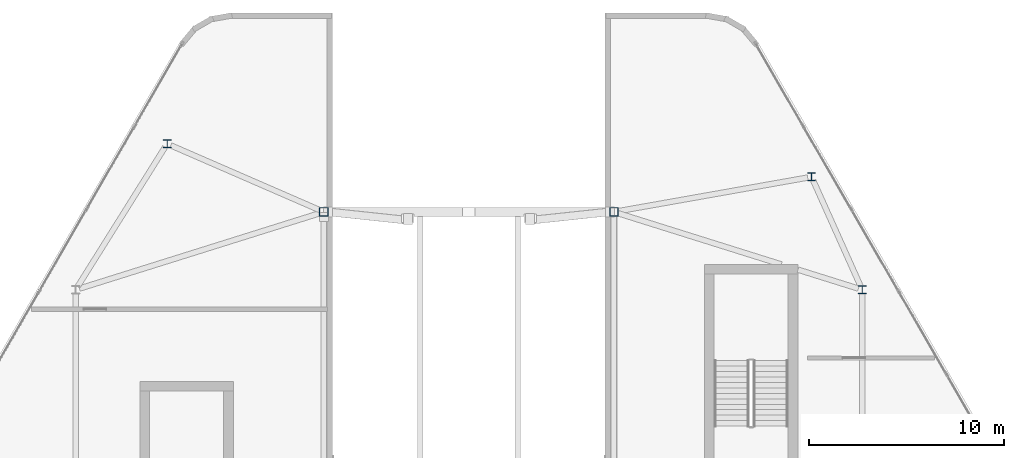
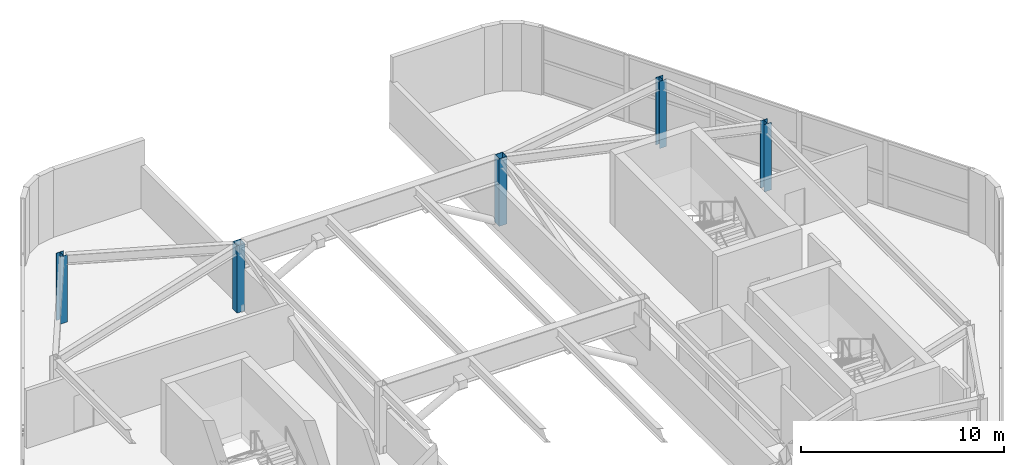
# One storey, part 2 of 16: 5 columns.
"""IFC4 building model written with IfcOpenShell, lengths in metres."""

from ifc_helpers import new_model, si_unit, direction, frame, origin, origin_2d, place, context, subcontext, project, spatial, hollow_rectangle, i_section, extrude, material, material_profile, profile_set, type_object, element, save


model = new_model("IFC4")

# Units and contexts
model_context = context("Model", 3, precision=1e-05, world=origin(), true_north=direction((0.0, 1.0)))
body_context = subcontext(model_context, "Body", "Model", "MODEL_VIEW")
ifc_project = project(units=[si_unit("LENGTHUNIT", "METRE"), si_unit("AREAUNIT", "SQUARE_METRE"), si_unit("VOLUMEUNIT", "CUBIC_METRE"), si_unit("PLANEANGLEUNIT", "RADIAN"), si_unit("MASSUNIT", "GRAM", prefix="KILO")], contexts=[model_context])

# Site, building, storey
site_placement = place(None, origin())
site = spatial("IfcSite", under=ifc_project, at=site_placement, CompositionType="ELEMENT")
building_placement = place(site_placement, origin())
building = spatial("IfcBuilding", under=site, at=building_placement, Name="Zuhravey Tower", CompositionType="ELEMENT")
storey_placement = place(building_placement, frame((0.0, 0.0, 374.60009765625)))
storey = spatial("IfcBuildingStorey", under=building, at=storey_placement, Name="L95", CompositionType="ELEMENT", Elevation=374.60009765625)

# Columns
ifc_material = material(Name="Steel SM355", Category="steel")
ifc_material_profile_1 = material_profile(ifc_material, i_section(OverallWidth=0.39990234375, OverallDepth=0.39990234375, WebThickness=0.012939453125, FlangeThickness=0.02099609375, at=origin_2d()), Name="H-400x400x13x21")
ifc_profile_set_1 = profile_set([ifc_material_profile_1], Name="Steel SM355")
column_type_1 = type_object("IfcColumnType", Name="Crown Crest Column H400x400", PredefinedType="COLUMN", material=ifc_profile_set_1)
for number, where, z_axis, x_axis, name in (
    (1, (20.5, 49.5, 0.0), (0.0, 0.0, 1.0), (1.0, 0.0, 0.0), "L95 West Crest Column WC4"),
    (2, (56.199951171875, 42.0, 0.0), (0.0, 0.0, 1.0), (1.0, 0.0, 0.0), "L95 East Crest Column EC2"),
    (3, (53.60009765625, 47.800048828125, 0.0), (0.0, 0.0, 1.0), (1.0, 0.0, 0.0), "L95 East Crest Column EC4"),
):
    element("IfcColumn", number, at=place(storey_placement, frame(where, z_axis=z_axis, x_axis=x_axis)), inside=storey, type_object=column_type_1, Name=name, PredefinedType="COLUMN", context=body_context, shape_type="SweptSolid", body=[
        extrude(i_section(OverallWidth=0.39990234375, OverallDepth=0.39990234375, WebThickness=0.012939453125, FlangeThickness=0.02099609375, at=origin_2d()), origin(), (0.0, 0.0, 1.0), 4.0498046875),
    ])
ifc_material_profile_2 = material_profile(ifc_material, hollow_rectangle(XDim=0.449951171875, YDim=0.449951171875, WallThickness=0.02197265625, at=origin_2d()), Name="RHS-450x450x22")
ifc_profile_set_2 = profile_set([ifc_material_profile_2], Name="Steel SM355")
column_type_2 = type_object("IfcColumnType", Name="Crown Portal Pilaster RHS450x450", PredefinedType="PILASTER", material=ifc_profile_set_2)
for number, where, z_axis, x_axis, name in (
    (4, (28.550048828125, 46.0, 0.0), (0.0, 0.0, 1.0), (1.0, 0.0, 0.0), "L95 West Crest Column WP3"),
    (5, (43.449951171875, 46.0, 0.0), (0.0, 0.0, 1.0), (1.0, 0.0, 0.0), "L95 East Crest Column EP3"),
):
    element("IfcColumn", number, at=place(storey_placement, frame(where, z_axis=z_axis, x_axis=x_axis)), inside=storey, type_object=column_type_2, Name=name, PredefinedType="PILASTER", context=body_context, shape_type="SweptSolid", body=[
        extrude(hollow_rectangle(XDim=0.449951171875, YDim=0.449951171875, WallThickness=0.02197265625, at=origin_2d()), origin(), (0.0, 0.0, 1.0), 4.0498046875),
    ])

save(model, "model.ifc")
